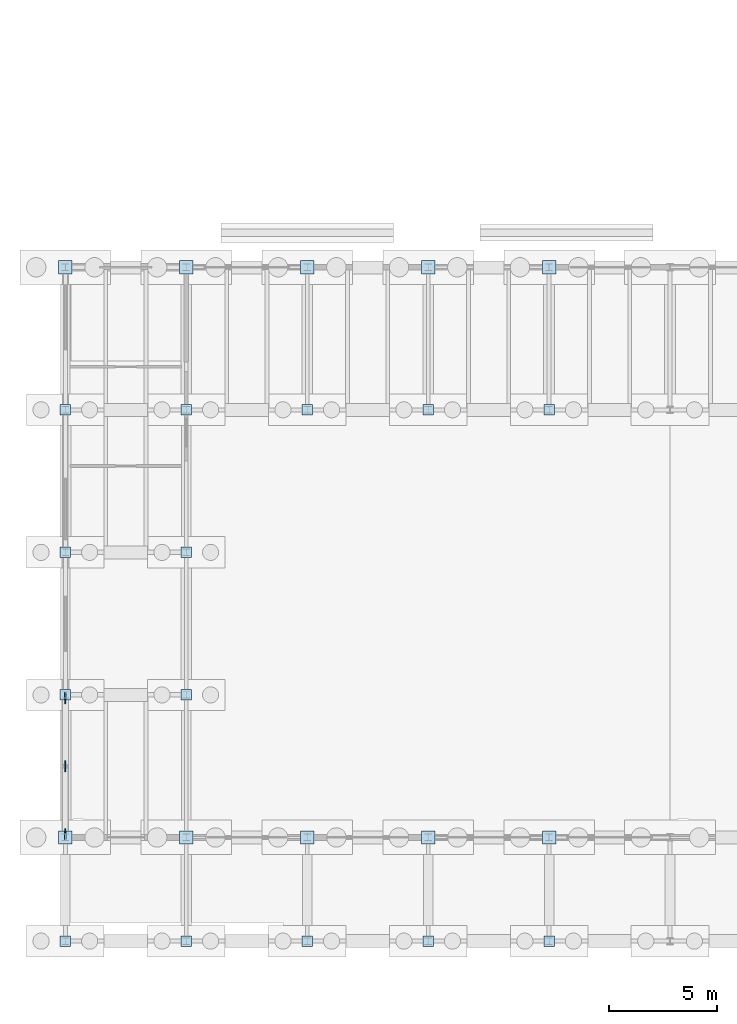
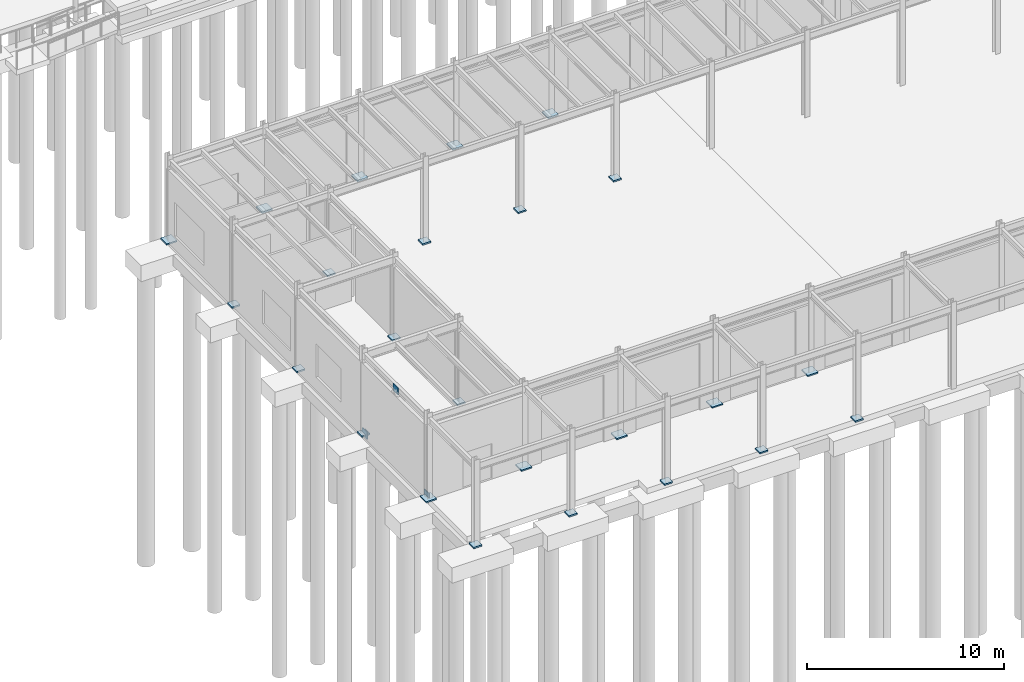
# One storey, part 55 of 82: 27 plates.
"""IFC4 building model written with IfcOpenShell, lengths in metres."""

from ifc_helpers import new_model, si_unit, direction, frame, origin, origin_2d, place, context, subcontext, project, spatial, rectangle, extrude, material, layer, layer_set, type_object, element, save


model = new_model("IFC4")

# Units and contexts
model_context = context("Model", 3, precision=1e-05, world=origin(), true_north=direction((0.0, 1.0)))
body_context = subcontext(model_context, "Body", "Model", "MODEL_VIEW")
ifc_project = project(units=[si_unit("LENGTHUNIT", "METRE"), si_unit("AREAUNIT", "SQUARE_METRE"), si_unit("VOLUMEUNIT", "CUBIC_METRE"), si_unit("PLANEANGLEUNIT", "RADIAN"), si_unit("MASSUNIT", "GRAM", prefix="KILO")], contexts=[model_context])

# Site, building, storey
site_placement = place(None, origin())
site = spatial("IfcSite", under=ifc_project, at=site_placement, CompositionType="ELEMENT")
building_placement = place(site_placement, origin())
building = spatial("IfcBuilding", under=site, at=building_placement, Name="Trelmorton Wharf Fire Station", CompositionType="ELEMENT")
storey_placement = place(building_placement, origin())
storey = spatial("IfcBuildingStorey", under=building, at=storey_placement, Name="L00", CompositionType="ELEMENT", Elevation=0.0)

# Plates
ifc_material = material(Name="Steel Grade 350", Category="steel")
ifc_layer_1 = layer(ifc_material, 0.080078125)
ifc_layer_set_1 = layer_set([ifc_layer_1], Name="Steel Grade 350")
plate_type_1 = type_object("IfcPlateType", Name="PL_BASE_BP1", PredefinedType="USERDEFINED", material=ifc_layer_set_1)
for number, where, z_axis, x_axis, name in (
    (1, (0.800048828125, 7.800048828125, 0.0), (0.0, 0.0, 1.0), (1.0, 0.0, 0.0), "PL-BP-002"),
    (2, (0.800048828125, 34.199951171875, 0.0), (0.0, 0.0, 1.0), (1.0, 0.0, 0.0), "PL-BP-006"),
    (3, (6.39990234375, 7.800048828125, 0.0), (0.0, 0.0, 1.0), (1.0, 0.0, 0.0), "PL-BP-013"),
    (4, (6.39990234375, 34.199951171875, 0.0), (0.0, 0.0, 1.0), (1.0, 0.0, 0.0), "PL-BP-017"),
    (5, (12.0, 7.800048828125, 0.0), (0.0, 0.0, 1.0), (1.0, 0.0, 0.0), "PL-BP-024"),
    (6, (12.0, 34.199951171875, 0.0), (0.0, 0.0, 1.0), (1.0, 0.0, 0.0), "PL-BP-026"),
    (7, (17.60009765625, 7.800048828125, 0.0), (0.0, 0.0, 1.0), (1.0, 0.0, 0.0), "PL-BP-033"),
    (8, (17.60009765625, 34.199951171875, 0.0), (0.0, 0.0, 1.0), (1.0, 0.0, 0.0), "PL-BP-035"),
    (9, (23.199951171875, 7.800048828125, 0.0), (0.0, 0.0, 1.0), (1.0, 0.0, 0.0), "PL-BP-042"),
    (10, (23.199951171875, 34.199951171875, 0.0), (0.0, 0.0, 1.0), (1.0, 0.0, 0.0), "PL-BP-044"),
):
    element("IfcPlate", number, at=place(storey_placement, frame(where, z_axis=z_axis, x_axis=x_axis)), inside=storey, type_object=plate_type_1, Name=name, ObjectType="BASE PLATE", PredefinedType="USERDEFINED", context=body_context, shape_type="SweptSolid", body=[
        extrude(rectangle(XDim=0.6201171875, YDim=0.6201171875, at=origin_2d()), origin(), (0.0, 0.0, 1.0), 0.080078125),
    ])
ifc_layer_2 = layer(ifc_material, 0.090087890625)
ifc_layer_set_2 = layer_set([ifc_layer_2], Name="Steel Grade 350")
plate_type_2 = type_object("IfcPlateType", Name="PL_BASE_BP2", PredefinedType="USERDEFINED", material=ifc_layer_set_2)
for number, where, z_axis, x_axis, name in (
    (11, (0.800048828125, 3.0, 0.0), (0.0, 0.0, 1.0), (1.0, 0.0, 0.0), "PL-BP-001"),
    (12, (0.800048828125, 14.39990234375, 0.0), (0.0, 0.0, 1.0), (1.0, 0.0, 0.0), "PL-BP-003"),
    (13, (0.800048828125, 21.0, 0.0), (0.0, 0.0, 1.0), (1.0, 0.0, 0.0), "PL-BP-004"),
    (14, (0.800048828125, 27.60009765625, 0.0), (0.0, 0.0, 1.0), (1.0, 0.0, 0.0), "PL-BP-005"),
    (15, (6.39990234375, 3.0, 0.0), (0.0, 0.0, 1.0), (1.0, 0.0, 0.0), "PL-BP-012"),
    (16, (6.39990234375, 14.39990234375, 0.0), (0.0, 0.0, 1.0), (1.0, 0.0, 0.0), "PL-BP-014"),
    (17, (6.39990234375, 21.0, 0.0), (0.0, 0.0, 1.0), (1.0, 0.0, 0.0), "PL-BP-015"),
    (18, (6.39990234375, 27.60009765625, 0.0), (0.0, 0.0, 1.0), (1.0, 0.0, 0.0), "PL-BP-016"),
    (19, (12.0, 3.0, 0.0), (0.0, 0.0, 1.0), (1.0, 0.0, 0.0), "PL-BP-023"),
    (20, (12.0, 27.60009765625, 0.0), (0.0, 0.0, 1.0), (1.0, 0.0, 0.0), "PL-BP-025"),
    (21, (17.60009765625, 3.0, 0.0), (0.0, 0.0, 1.0), (1.0, 0.0, 0.0), "PL-BP-032"),
    (22, (17.60009765625, 27.60009765625, 0.0), (0.0, 0.0, 1.0), (1.0, 0.0, 0.0), "PL-BP-034"),
    (23, (23.199951171875, 3.0, 0.0), (0.0, 0.0, 1.0), (1.0, 0.0, 0.0), "PL-BP-041"),
    (24, (23.199951171875, 27.60009765625, 0.0), (0.0, 0.0, 1.0), (1.0, 0.0, 0.0), "PL-BP-043"),
):
    element("IfcPlate", number, at=place(storey_placement, frame(where, z_axis=z_axis, x_axis=x_axis)), inside=storey, type_object=plate_type_2, Name=name, ObjectType="BASE PLATE", PredefinedType="USERDEFINED", context=body_context, shape_type="SweptSolid", body=[
        extrude(rectangle(XDim=0.47998046875, YDim=0.47998046875, at=origin_2d()), origin(), (0.0, 0.0, 1.0), 0.090087890625),
    ])
ifc_layer_3 = layer(ifc_material, 0.050048828125)
ifc_layer_set_3 = layer_set([ifc_layer_3], Name="Steel Grade 350")
plate_type_3 = type_object("IfcPlateType", Name="PL_GUSSET_TN2", PredefinedType="USERDEFINED", material=ifc_layer_set_3)
for number, where, z_axis, x_axis, name in (
    (25, (0.800048828125, 7.96044921875, -0.10498046875), (0.0, 0.0, 1.0), (1.0, 0.0, 0.0), "PL-CBF-0349"),
    (26, (0.800048828125, 14.24560546875, -0.10498046875), (0.0, 0.0, 1.0), (1.0, 0.0, 0.0), "PL-CBF-0350"),
    (27, (0.800048828125, 11.10009765625, 4.55517578125), (0.0, 0.0, 1.0), (1.0, 0.0, 0.0), "PL-CBF-0351"),
):
    element("IfcPlate", number, at=place(storey_placement, frame(where, z_axis=z_axis, x_axis=x_axis)), inside=storey, type_object=plate_type_3, Name=name, ObjectType="GUSSET PLATE", PredefinedType="USERDEFINED", context=body_context, shape_type="SweptSolid", body=[
        extrude(rectangle(XDim=0.050048828125, YDim=0.5, at=origin_2d()), origin(), (0.0, 0.0, 1.0), 0.449951171875),
    ])

save(model, "model.ifc")
